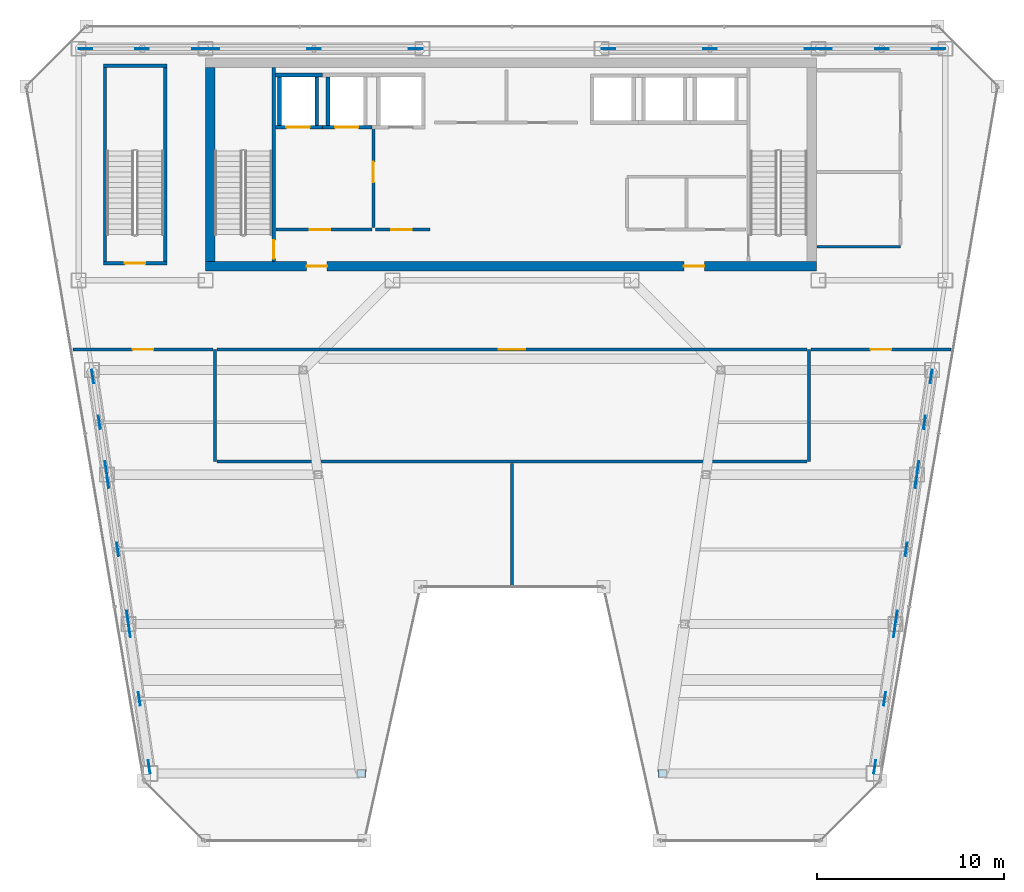
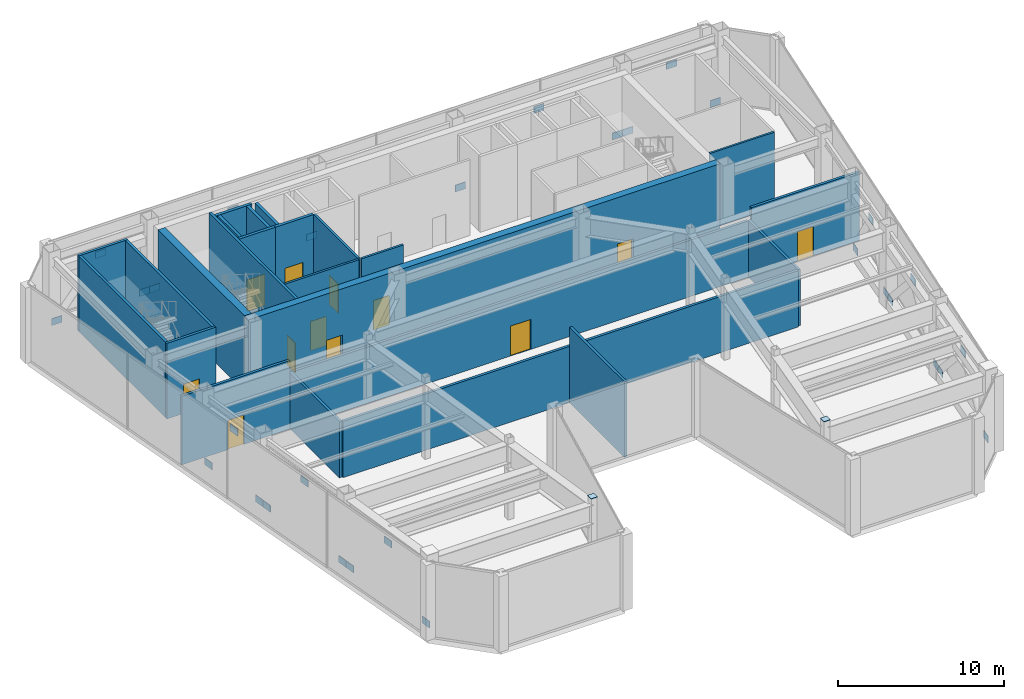
# One storey, part 29 of 34: 32 plates, 24 walls, 12 doors, 12 openings.
"""IFC4 building model written with IfcOpenShell, lengths in metres."""

from ifc_helpers import new_model, si_unit, direction, frame, frame_2d, origin, origin_2d, place, context, subcontext, project, spatial, rectangle, extrude, material, layer, layer_set, type_object, element, fill, save


model = new_model("IFC4")

# Units and contexts
model_context = context("Model", 3, precision=1e-05, world=origin(), true_north=direction((0.0, 1.0)))
body_context = subcontext(model_context, "Body", "Model", "MODEL_VIEW")
ifc_project = project(units=[si_unit("LENGTHUNIT", "METRE"), si_unit("AREAUNIT", "SQUARE_METRE"), si_unit("VOLUMEUNIT", "CUBIC_METRE"), si_unit("PLANEANGLEUNIT", "RADIAN"), si_unit("MASSUNIT", "GRAM", prefix="KILO")], contexts=[model_context])

# Site, building, storey
site_placement = place(None, origin())
site = spatial("IfcSite", under=ifc_project, at=site_placement, CompositionType="ELEMENT")
building_placement = place(site_placement, origin())
building = spatial("IfcBuilding", under=site, at=building_placement, Name="Saevonmaru Cultural Tower", CompositionType="ELEMENT")
storey_placement = place(building_placement, frame((0.0, 0.0, 224.60009765625)))
storey = spatial("IfcBuildingStorey", under=building, at=storey_placement, Name="L52", CompositionType="ELEMENT", Elevation=224.60009765625)

# Plates
ifc_material_1 = material(Name="Steel HSA600 (600 MPa)", Category="steel")
ifc_layer_1 = layer(ifc_material_1, 0.0400390625, Name="Steel HSA600 (600 MPa)")
ifc_layer_set_1 = layer_set([ifc_layer_1], Name="Steel HSA600 (600 MPa)")
plate_type_1 = type_object("IfcPlateType", Name="PL-CAP-400", PredefinedType="USERDEFINED", material=ifc_layer_set_1)
for number, where, z_axis, x_axis, name in (
    (1, (38.072021484375, 16.0, 5.994873046875), (0.0, 0.0, 1.0), (1.0, 0.0, 0.0), "Column head cap plate TC-EI-Y160 L52"),
    (2, (21.927978515625, 16.0, 5.994873046875), (0.0, 0.0, 1.0), (1.0, 0.0, 0.0), "Column head cap plate TC-WI-Y160 L52"),
):
    element("IfcPlate", number, at=place(storey_placement, frame(where, z_axis=z_axis, x_axis=x_axis)), inside=storey, type_object=plate_type_1, Name=name, ObjectType="CAP_PLATE", PredefinedType="USERDEFINED", context=body_context, shape_type="SweptSolid", body=[
        extrude(rectangle(XDim=0.43994140625, YDim=0.43994140625, at=origin_2d()), origin(), (0.0, 0.0, 1.0), 0.0400390625),
    ])
ifc_layer_2 = layer(ifc_material_1, 0.044921875, Name="Steel HSA600 (600 MPa)")
ifc_layer_set_2 = layer_set([ifc_layer_2], Name="Steel HSA600 (600 MPa)")
plate_type_2 = type_object("IfcPlateType", Name="PL-GUSSET-BELT", PredefinedType="USERDEFINED", material=ifc_layer_set_2)
for number, where, z_axis, x_axis, name in (
    (3, (10.576904296875, 16.35595703125, 0.2998046875), (0.0, 0.0, 1.0), (-0.143008969972, 0.989721392366, 0.0), "L52 Truss Base Gusset Plate BW1-1"),
    (4, (9.52294921875, 23.64404296875, 0.2998046875), (0.0, 0.0, 1.0), (-0.143008969972, 0.989721392366, 0.0), "L52 Truss Base Gusset Plate BW1-2"),
    (5, (10.050048828125, 20.0, 4.14990234375), (0.0, 0.0, 1.0), (-0.143008969972, 0.989721392366, 0.0), "L52 Truss Node Gusset Plate BW1"),
    (6, (9.4208984375, 24.35595703125, 0.2998046875), (0.0, 0.0, 1.0), (-0.142888051626, 0.989738856822, 0.0), "L52 Truss Base Gusset Plate BW2-1"),
    (7, (8.367919921875, 31.64404296875, 0.2998046875), (0.0, 0.0, 1.0), (-0.142888051626, 0.989738856822, 0.0), "L52 Truss Base Gusset Plate BW2-2"),
    (8, (8.89501953125, 28.0, 4.14990234375), (0.0, 0.0, 1.0), (-0.142888051626, 0.989738856822, 0.0), "L52 Truss Node Gusset Plate BW2"),
    (9, (8.26611328125, 32.35595703125, 0.2998046875), (0.0, 0.0, 1.0), (-0.142974422091, 0.989726383718, 0.0), "L52 Truss Base Gusset Plate BW3-1"),
    (10, (7.55908203125, 37.243896484375, 0.2998046875), (0.0, 0.0, 1.0), (-0.142974422091, 0.989726383718, 0.0), "L52 Truss Base Gusset Plate BW3-2"),
    (11, (7.912109375, 34.800048828125, 4.14990234375), (0.0, 0.0, 1.0), (-0.142974422091, 0.989726383718, 0.0), "L52 Truss Node Gusset Plate BW3"),
    (12, (49.423095703125, 16.35595703125, 0.2998046875), (0.0, 0.0, 1.0), (0.143008969972, 0.989721392366, 0.0), "L52 Truss Base Gusset Plate BE1-1"),
    (13, (50.47705078125, 23.64404296875, 0.2998046875), (0.0, 0.0, 1.0), (0.143008969972, 0.989721392366, 0.0), "L52 Truss Base Gusset Plate BE1-2"),
    (14, (49.949951171875, 20.0, 4.14990234375), (0.0, 0.0, 1.0), (0.143008969972, 0.989721392366, 0.0), "L52 Truss Node Gusset Plate BE1"),
    (15, (50.5791015625, 24.35595703125, 0.2998046875), (0.0, 0.0, 1.0), (0.142888051626, 0.989738856822, 0.0), "L52 Truss Base Gusset Plate BE2-1"),
    (16, (51.632080078125, 31.64404296875, 0.2998046875), (0.0, 0.0, 1.0), (0.142888051626, 0.989738856822, 0.0), "L52 Truss Base Gusset Plate BE2-2"),
    (17, (51.10498046875, 28.0, 4.14990234375), (0.0, 0.0, 1.0), (0.142888051626, 0.989738856822, 0.0), "L52 Truss Node Gusset Plate BE2"),
    (18, (51.73388671875, 32.35595703125, 0.2998046875), (0.0, 0.0, 1.0), (0.142974422091, 0.989726383718, 0.0), "L52 Truss Base Gusset Plate BE3-1"),
    (19, (52.44091796875, 37.243896484375, 0.2998046875), (0.0, 0.0, 1.0), (0.142974422091, 0.989726383718, 0.0), "L52 Truss Base Gusset Plate BE3-2"),
    (20, (52.0869140625, 34.800048828125, 4.14990234375), (0.0, 0.0, 1.0), (0.142974422091, 0.989726383718, 0.0), "L52 Truss Node Gusset Plate BE3"),
):
    element("IfcPlate", number, at=place(storey_placement, frame(where, z_axis=z_axis, x_axis=x_axis)), inside=storey, type_object=plate_type_2, Name=name, ObjectType="GUSSET_PLATE", PredefinedType="USERDEFINED", context=body_context, shape_type="SweptSolid", body=[
        extrude(rectangle(XDim=0.719970703125, YDim=0.044921875, at=origin_2d()), origin(), (0.0, 0.0, 1.0), 0.5),
    ])
ifc_layer_3 = layer(ifc_material_1, 0.044921875, Name="Steel HSA600 (600 MPa)")
ifc_layer_set_3 = layer_set([ifc_layer_3], Name="Steel HSA600 (600 MPa)")
plate_type_3 = type_object("IfcPlateType", Name="PL-GUSSET-INT", PredefinedType="USERDEFINED", material=ifc_layer_set_3)
for number, where, z_axis, x_axis, name in (
    (21, (13.9599609375, 54.800048828125, 0.2998046875), (0.0, 0.0, 1.0), (1.0, 0.0, 0.0), "L52 Truss Base Gusset Plate OW1-1"),
    (22, (24.840087890625, 54.800048828125, 0.2998046875), (0.0, 0.0, 1.0), (1.0, 0.0, 0.0), "L52 Truss Base Gusset Plate OW1-2"),
    (23, (19.39990234375, 54.800048828125, 4.14990234375), (0.0, 0.0, 1.0), (1.0, 0.0, 0.0), "L52 Truss Node Gusset Plate OW1"),
    (24, (35.159912109375, 54.800048828125, 0.2998046875), (0.0, 0.0, 1.0), (1.0, 0.0, 0.0), "L52 Truss Base Gusset Plate OE1-1"),
    (25, (46.0400390625, 54.800048828125, 0.2998046875), (0.0, 0.0, 1.0), (1.0, 0.0, 0.0), "L52 Truss Base Gusset Plate OE1-2"),
    (26, (40.60009765625, 54.800048828125, 4.14990234375), (0.0, 0.0, 1.0), (1.0, 0.0, 0.0), "L52 Truss Node Gusset Plate OE1"),
    (27, (7.159912109375, 54.800048828125, 0.2998046875), (0.0, 0.0, 1.0), (1.0, 0.0, 0.0), "L52 Truss Base Gusset Plate OW2-1"),
    (28, (13.239990234375, 54.800048828125, 0.2998046875), (0.0, 0.0, 1.0), (1.0, 0.0, 0.0), "L52 Truss Base Gusset Plate OW2-2"),
    (29, (10.199951171875, 54.800048828125, 4.14990234375), (0.0, 0.0, 1.0), (1.0, 0.0, 0.0), "L52 Truss Node Gusset Plate OW2"),
    (30, (46.760009765625, 54.800048828125, 0.2998046875), (0.0, 0.0, 1.0), (1.0, 0.0, 0.0), "L52 Truss Base Gusset Plate OE2-1"),
    (31, (52.840087890625, 54.800048828125, 0.2998046875), (0.0, 0.0, 1.0), (1.0, 0.0, 0.0), "L52 Truss Base Gusset Plate OE2-2"),
    (32, (49.800048828125, 54.800048828125, 4.14990234375), (0.0, 0.0, 1.0), (1.0, 0.0, 0.0), "L52 Truss Node Gusset Plate OE2"),
):
    element("IfcPlate", number, at=place(storey_placement, frame(where, z_axis=z_axis, x_axis=x_axis)), inside=storey, type_object=plate_type_3, Name=name, ObjectType="GUSSET_PLATE", PredefinedType="USERDEFINED", context=body_context, shape_type="SweptSolid", body=[
        extrude(rectangle(XDim=0.719970703125, YDim=0.044921875, at=origin_2d()), origin(), (0.0, 0.0, 1.0), 0.5),
    ])

# Wall, openings, doors
ifc_material_2 = material(Name="Concrete C60/75", Category="concrete")
ifc_layer_4 = layer(ifc_material_2, 0.5, Name="Concrete C60/75")
ifc_layer_set_4 = layer_set([ifc_layer_4], Name="Concrete C60/75")
wall_type_1 = type_object("IfcWallType", Name="WL-CORE-500", PredefinedType="SHEAR", material=ifc_layer_set_4)
wall_1_placement = place(storey_placement, frame((13.60009765625, 43.14990234375, 0.0), z_axis=(0.0, 0.0, 1.0), x_axis=(1.0, 0.0, 0.0)))
wall_1 = element("IfcWall", 33, at=wall_1_placement, inside=storey, type_object=wall_type_1, Name="L52 Tower RC core shear wall S", PredefinedType="SHEAR", context=body_context, shape_type="SweptSolid", body=[
    extrude(rectangle(XDim=32.699951171875, YDim=0.5, at=frame_2d((16.35009765625, 0.0))), origin(), (0.0, 0.0, 1.0), 5.5498046875),
])
opening_1_placement = place(wall_1_placement, frame((5.39990234375, 0.0, 0.0)))
opening_1 = element("IfcOpeningElement", 34, at=opening_1_placement, cuts=wall_1, Name="Opening FD-2", PredefinedType="OPENING", context=body_context, shape_type="SweptSolid", body=[
    extrude(rectangle(XDim=1.10009765625, YDim=2.14990234375, at=frame_2d((0.550048828125, 1.074951171875))), frame((0.0, 0.260009765625, 0.0), z_axis=(0.0, -1.0, 0.0), x_axis=(1.0, 0.0, 0.0)), (0.0, 0.0, 1.0), 0.52001953125),
])
opening_2_placement = place(wall_1_placement, frame((25.60009765625, 0.0, 0.0)))
opening_2 = element("IfcOpeningElement", 35, at=opening_2_placement, cuts=wall_1, Name="Opening FD-2", PredefinedType="OPENING", context=body_context, shape_type="SweptSolid", body=[
    extrude(rectangle(XDim=1.10009765625, YDim=2.14990234375, at=frame_2d((0.550048828125, 1.074951171875))), frame((0.0, 0.260009765625, 0.0), z_axis=(0.0, -1.0, 0.0), x_axis=(1.0, 0.0, 0.0)), (0.0, 0.0, 1.0), 0.52001953125),
])
ifc_material_3 = material(Name="Satin Bronze Anodised Aluminium", Category="aluminium")
door_type_1 = type_object("IfcDoorType", Name="DR-FD60-1100", OperationType="SINGLE_SWING_LEFT", PredefinedType="DOOR", material=ifc_material_3)
door_1_placement = place(opening_1_placement, origin())
door_1 = element("IfcDoor", 36, at=door_1_placement, inside=storey, type_object=door_type_1, Name="L52 Core West Lobby Fire Door", OperationType="SINGLE_SWING_LEFT", OverallHeight=2.14990234375, OverallWidth=1.10009765625, PredefinedType="DOOR", context=body_context, shape_type="SweptSolid", body=[
    extrude(rectangle(XDim=1.10009765625, YDim=2.14990234375, at=frame_2d((0.550048828125, 1.074951171875))), frame((0.0, 0.02490234375, 0.0), z_axis=(0.0, -1.0, 0.0), x_axis=(1.0, 0.0, 0.0)), (0.0, 0.0, 1.0), 0.050048828125),
])
fill(opening_1, door_1)
door_2_placement = place(opening_2_placement, origin())
door_2 = element("IfcDoor", 37, at=door_2_placement, inside=storey, type_object=door_type_1, Name="L52 Core East Lobby Fire Door", OperationType="SINGLE_SWING_LEFT", OverallHeight=2.14990234375, OverallWidth=1.10009765625, PredefinedType="DOOR", context=body_context, shape_type="SweptSolid", body=[
    extrude(rectangle(XDim=1.10009765625, YDim=2.14990234375, at=frame_2d((0.550048828125, 1.074951171875))), frame((0.0, 0.02490234375, 0.0), z_axis=(0.0, -1.0, 0.0), x_axis=(1.0, 0.0, 0.0)), (0.0, 0.0, 1.0), 0.050048828125),
])
fill(opening_2, door_2)

# Wall
wall_2_placement = place(storey_placement, frame((13.85009765625, 43.39990234375, 0.0), z_axis=(0.0, 0.0, 1.0), x_axis=(0.0, 1.0, 0.0)))
element("IfcWall", 38, at=wall_2_placement, inside=storey, type_object=wall_type_1, Name="L52 Tower RC core shear wall W", PredefinedType="SHEAR", context=body_context, shape_type="SweptSolid", body=[
    extrude(rectangle(XDim=10.400146484375, YDim=0.5, at=frame_2d((5.2001953125, 0.0))), origin(), (0.0, 0.0, 1.0), 5.5498046875),
])

# Wall, opening, door
ifc_material_4 = material(Name="Gypsum Fireboard Partition", Category="gypsum")
ifc_layer_5 = layer(ifc_material_4, 0.14990234375, Name="Gypsum Fireboard Partition")
ifc_layer_set_5 = layer_set([ifc_layer_5], Name="Gypsum Fireboard Partition")
wall_type_2 = type_object("IfcWallType", Name="WL-CORE-PART-150", PredefinedType="PARTITIONING", material=ifc_layer_set_5)
wall_3_placement = place(storey_placement, frame((17.360107421875, 45.1201171875, 0.0), z_axis=(0.0, 0.0, 1.0), x_axis=(1.0, 0.0, 0.0)))
wall_3 = element("IfcWall", 39, at=wall_3_placement, inside=storey, type_object=wall_type_2, Name="L52 Firefighting Lift Lobby South Wall", PredefinedType="PARTITIONING", context=body_context, shape_type="SweptSolid", body=[
    extrude(rectangle(XDim=5.139892578125, YDim=0.14990234375, at=frame_2d((2.56982421875, 0.0))), origin(), (0.0, 0.0, 1.0), 5.5498046875),
])
opening_3_placement = place(wall_3_placement, frame((1.800048828125, 0.0, 0.0)))
opening_3 = element("IfcOpeningElement", 40, at=opening_3_placement, cuts=wall_3, Name="Opening FD-2", PredefinedType="OPENING", context=body_context, shape_type="SweptSolid", body=[
    extrude(rectangle(XDim=1.10009765625, YDim=2.14990234375, at=frame_2d((0.550048828125, 1.074951171875))), frame((0.0, 0.0849609375, 0.0), z_axis=(0.0, -1.0, 0.0), x_axis=(1.0, 0.0, 0.0)), (0.0, 0.0, 1.0), 0.169921875),
])
door_3_placement = place(opening_3_placement, origin())
door_3 = element("IfcDoor", 41, at=door_3_placement, inside=storey, type_object=door_type_1, Name="L52 Firefighting Lift Lobby South Door", OperationType="SINGLE_SWING_LEFT", OverallHeight=2.14990234375, OverallWidth=1.10009765625, PredefinedType="DOOR", context=body_context, shape_type="SweptSolid", body=[
    extrude(rectangle(XDim=1.10009765625, YDim=2.14990234375, at=frame_2d((0.550048828125, 1.074951171875))), frame((0.0, 0.02490234375, 0.0), z_axis=(0.0, -1.0, 0.0), x_axis=(1.0, 0.0, 0.0)), (0.0, 0.0, 1.0), 0.050048828125),
])
fill(opening_3, door_3)

wall_4_placement = place(storey_placement, frame((22.580078125, 50.550048828125, 0.0), z_axis=(0.0, 0.0, 1.0), x_axis=(0.0, -1.0, 0.0)))
wall_4 = element("IfcWall", 42, at=wall_4_placement, inside=storey, type_object=wall_type_2, Name="L52 Firefighting Lift Lobby East Wall", PredefinedType="PARTITIONING", context=body_context, shape_type="SweptSolid", body=[
    extrude(rectangle(XDim=5.330078125, YDim=0.14990234375, at=frame_2d((2.6650390625, 0.0))), origin(), (0.0, 0.0, 1.0), 5.5498046875),
])
opening_4_placement = place(wall_4_placement, frame((1.800048828125, 0.0, 0.0)))
opening_4 = element("IfcOpeningElement", 43, at=opening_4_placement, cuts=wall_4, Name="Opening FD-2", PredefinedType="OPENING", context=body_context, shape_type="SweptSolid", body=[
    extrude(rectangle(XDim=1.10009765625, YDim=2.14990234375, at=frame_2d((0.550048828125, 1.074951171875))), frame((0.0, 0.0849609375, 0.0), z_axis=(0.0, -1.0, 0.0), x_axis=(1.0, 0.0, 0.0)), (0.0, 0.0, 1.0), 0.169921875),
])
door_4_placement = place(opening_4_placement, origin())
door_4 = element("IfcDoor", 44, at=door_4_placement, inside=storey, type_object=door_type_1, Name="L52 Firefighting Lift Lobby East Door", OperationType="SINGLE_SWING_LEFT", OverallHeight=2.14990234375, OverallWidth=1.10009765625, PredefinedType="DOOR", context=body_context, shape_type="SweptSolid", body=[
    extrude(rectangle(XDim=1.10009765625, YDim=2.14990234375, at=frame_2d((0.550048828125, 1.074951171875))), frame((0.0, 0.02490234375, 0.0), z_axis=(0.0, -1.0, 0.0), x_axis=(1.0, 0.0, 0.0)), (0.0, 0.0, 1.0), 0.050048828125),
])
fill(opening_4, door_4)

wall_5_placement = place(storey_placement, frame((22.679931640625, 45.1201171875, 0.0), z_axis=(0.0, 0.0, 1.0), x_axis=(1.0, 0.0, 0.0)))
wall_5 = element("IfcWall", 45, at=wall_5_placement, inside=storey, type_object=wall_type_2, Name="L52 Service Lift Vestibule Wall", PredefinedType="PARTITIONING", context=body_context, shape_type="SweptSolid", body=[
    extrude(rectangle(XDim=2.920166015625, YDim=0.14990234375, at=frame_2d((1.4599609375, 0.0))), origin(), (0.0, 0.0, 1.0), 5.5498046875),
])
opening_5_placement = place(wall_5_placement, frame((0.85009765625, 0.0, 0.0)))
opening_5 = element("IfcOpeningElement", 46, at=opening_5_placement, cuts=wall_5, Name="Opening FD-2", PredefinedType="OPENING", context=body_context, shape_type="SweptSolid", body=[
    extrude(rectangle(XDim=1.10009765625, YDim=2.14990234375, at=frame_2d((0.550048828125, 1.074951171875))), frame((0.0, 0.0849609375, 0.0), z_axis=(0.0, -1.0, 0.0), x_axis=(1.0, 0.0, 0.0)), (0.0, 0.0, 1.0), 0.169921875),
])
door_5_placement = place(opening_5_placement, origin())
door_5 = element("IfcDoor", 47, at=door_5_placement, inside=storey, type_object=door_type_1, Name="L52 Service Lift Vestibule Door", OperationType="SINGLE_SWING_LEFT", OverallHeight=2.14990234375, OverallWidth=1.10009765625, PredefinedType="DOOR", context=body_context, shape_type="SweptSolid", body=[
    extrude(rectangle(XDim=1.10009765625, YDim=2.14990234375, at=frame_2d((0.550048828125, 1.074951171875))), frame((0.0, 0.02490234375, 0.0), z_axis=(0.0, -1.0, 0.0), x_axis=(1.0, 0.0, 0.0)), (0.0, 0.0, 1.0), 0.050048828125),
])
fill(opening_5, door_5)

# Walls
ifc_layer_6 = layer(ifc_material_4, 0.179931640625, Name="Gypsum Fireboard Partition")
ifc_layer_set_6 = layer_set([ifc_layer_6], Name="Gypsum Fireboard Partition")
wall_type_3 = type_object("IfcWallType", Name="WL-PART-PLANT-180", PredefinedType="PARTITIONING", material=ifc_layer_set_6)
for number, where, z_axis, x_axis, name in (
    (48, (14.10009765625, 32.699951171875, 0.0), (0.0, 0.0, 1.0), (0.0, 1.0, 0.0), "L52 Main Refuge West Wall"),
    (49, (45.89990234375, 32.699951171875, 0.0), (0.0, 0.0, 1.0), (0.0, 1.0, 0.0), "L52 Main Refuge East Wall"),
):
    element("IfcWall", number, at=place(storey_placement, frame(where, z_axis=z_axis, x_axis=x_axis)), inside=storey, type_object=wall_type_3, Name=name, PredefinedType="PARTITIONING", context=body_context, shape_type="SweptSolid", body=[
        extrude(rectangle(XDim=6.0, YDim=0.179931640625, at=frame_2d((3.0, 0.0))), origin(), (0.0, 0.0, 1.0), 4.135009765625),
    ])
wall_6_placement = place(storey_placement, frame((14.2099609375, 32.699951171875, 0.0), z_axis=(0.0, 0.0, 1.0), x_axis=(1.0, 0.0, 0.0)))
element("IfcWall", 50, at=wall_6_placement, inside=storey, type_object=wall_type_3, Name="L52 Main Refuge South Wall", PredefinedType="PARTITIONING", context=body_context, shape_type="SweptSolid", body=[
    extrude(rectangle(XDim=31.580078125, YDim=0.179931640625, at=frame_2d((15.7900390625, 0.0))), origin(), (0.0, 0.0, 1.0), 4.135009765625),
])

# Wall, opening, door
wall_7_placement = place(storey_placement, frame((14.2099609375, 38.699951171875, 0.0), z_axis=(0.0, 0.0, 1.0), x_axis=(1.0, 0.0, 0.0)))
wall_7 = element("IfcWall", 51, at=wall_7_placement, inside=storey, type_object=wall_type_3, Name="L52 Main Refuge Promenade Wall", PredefinedType="PARTITIONING", context=body_context, shape_type="SweptSolid", body=[
    extrude(rectangle(XDim=31.580078125, YDim=0.179931640625, at=frame_2d((15.7900390625, 0.0))), origin(), (0.0, 0.0, 1.0), 4.135009765625),
])
opening_6_placement = place(wall_7_placement, frame((15.090087890625, 0.0, 0.0)))
opening_6 = element("IfcOpeningElement", 52, at=opening_6_placement, cuts=wall_7, Name="Opening FD-0", PredefinedType="OPENING", context=body_context, shape_type="SweptSolid", body=[
    extrude(rectangle(XDim=1.39990234375, YDim=2.199951171875, at=frame_2d((0.699951171875, 1.10009765625))), frame((0.0, 0.10009765625, 0.0), z_axis=(0.0, -1.0, 0.0), x_axis=(1.0, 0.0, 0.0)), (0.0, 0.0, 1.0), 0.199951171875),
])
door_type_2 = type_object("IfcDoorType", Name="DR-FD60-1400", OperationType="DOUBLE_DOOR_SINGLE_SWING", PredefinedType="DOOR", material=ifc_material_3)
door_6_placement = place(opening_6_placement, origin())
door_6 = element("IfcDoor", 53, at=door_6_placement, inside=storey, type_object=door_type_2, Name="L52 Main Fire Safety Refuge Hall Door", OperationType="DOUBLE_DOOR_SINGLE_SWING", OverallHeight=2.199951171875, OverallWidth=1.39990234375, PredefinedType="DOOR", context=body_context, shape_type="SweptSolid", body=[
    extrude(rectangle(XDim=1.39990234375, YDim=2.199951171875, at=frame_2d((0.699951171875, 1.10009765625))), frame((0.0, 0.02490234375, 0.0), z_axis=(0.0, -1.0, 0.0), x_axis=(1.0, 0.0, 0.0)), (0.0, 0.0, 1.0), 0.050048828125),
])
fill(opening_6, door_6)

# Wall
wall_8_placement = place(storey_placement, frame((30.0, 26.0048828125, 0.0), z_axis=(0.0, 0.0, 1.0), x_axis=(0.0, 1.0, 0.0)))
element("IfcWall", 54, at=wall_8_placement, inside=storey, type_object=wall_type_3, Name="L52 Plant Compartment Split", PredefinedType="PARTITIONING", context=body_context, shape_type="SweptSolid", body=[
    extrude(rectangle(XDim=6.585205078125, YDim=0.179931640625, at=frame_2d((3.29248046875, 0.0))), origin(), (0.0, 0.0, 1.0), 5.5498046875),
])

# Wall, opening, door
wall_9_placement = place(storey_placement, frame((6.498779296875, 38.699951171875, 0.0), z_axis=(0.0, 0.0, 1.0), x_axis=(1.0, 0.0, 0.0)))
wall_9 = element("IfcWall", 55, at=wall_9_placement, inside=storey, type_object=wall_type_3, Name="L52 West AHU Plant North Wall", PredefinedType="PARTITIONING", context=body_context, shape_type="SweptSolid", body=[
    extrude(rectangle(XDim=7.4912109375, YDim=0.179931640625, at=frame_2d((3.74560546875, 0.0))), origin(), (0.0, 0.0, 1.0), 5.034912109375),
])
opening_7_placement = place(wall_9_placement, frame((3.196044921875, 0.0, 0.0)))
opening_7 = element("IfcOpeningElement", 56, at=opening_7_placement, cuts=wall_9, Name="Opening FD-2", PredefinedType="OPENING", context=body_context, shape_type="SweptSolid", body=[
    extrude(rectangle(XDim=1.10009765625, YDim=2.14990234375, at=frame_2d((0.550048828125, 1.074951171875))), frame((0.0, 0.10009765625, 0.0), z_axis=(0.0, -1.0, 0.0), x_axis=(1.0, 0.0, 0.0)), (0.0, 0.0, 1.0), 0.199951171875),
])
door_7_placement = place(opening_7_placement, origin())
door_7 = element("IfcDoor", 57, at=door_7_placement, inside=storey, type_object=door_type_1, Name="L52 Primary AHU Plant Door", OperationType="SINGLE_SWING_LEFT", OverallHeight=2.14990234375, OverallWidth=1.10009765625, PredefinedType="DOOR", context=body_context, shape_type="SweptSolid", body=[
    extrude(rectangle(XDim=1.10009765625, YDim=2.14990234375, at=frame_2d((0.550048828125, 1.074951171875))), frame((0.0, 0.02490234375, 0.0), z_axis=(0.0, -1.0, 0.0), x_axis=(1.0, 0.0, 0.0)), (0.0, 0.0, 1.0), 0.050048828125),
])
fill(opening_7, door_7)

wall_10_placement = place(storey_placement, frame((46.010009765625, 38.699951171875, 0.0), z_axis=(0.0, 0.0, 1.0), x_axis=(1.0, 0.0, 0.0)))
wall_10 = element("IfcWall", 58, at=wall_10_placement, inside=storey, type_object=wall_type_3, Name="L52 East Pump Plant North Wall", PredefinedType="PARTITIONING", context=body_context, shape_type="SweptSolid", body=[
    extrude(rectangle(XDim=7.4912109375, YDim=0.179931640625, at=frame_2d((3.74560546875, 0.0))), origin(), (0.0, 0.0, 1.0), 5.034912109375),
])
opening_8_placement = place(wall_10_placement, frame((3.196044921875, 0.0, 0.0)))
opening_8 = element("IfcOpeningElement", 59, at=opening_8_placement, cuts=wall_10, Name="Opening FD-2", PredefinedType="OPENING", context=body_context, shape_type="SweptSolid", body=[
    extrude(rectangle(XDim=1.10009765625, YDim=2.14990234375, at=frame_2d((0.550048828125, 1.074951171875))), frame((0.0, 0.10009765625, 0.0), z_axis=(0.0, -1.0, 0.0), x_axis=(1.0, 0.0, 0.0)), (0.0, 0.0, 1.0), 0.199951171875),
])
door_8_placement = place(opening_8_placement, origin())
door_8 = element("IfcDoor", 60, at=door_8_placement, inside=storey, type_object=door_type_1, Name="L52 Fire Pump Plant Door", OperationType="SINGLE_SWING_RIGHT", OverallHeight=2.14990234375, OverallWidth=1.10009765625, PredefinedType="DOOR", context=body_context, shape_type="SweptSolid", body=[
    extrude(rectangle(XDim=1.10009765625, YDim=2.14990234375, at=frame_2d((0.550048828125, 1.074951171875))), frame((0.0, 0.02490234375, 0.0), z_axis=(0.0, -1.0, 0.0), x_axis=(1.0, 0.0, 0.0)), (0.0, 0.0, 1.0), 0.050048828125),
])
fill(opening_8, door_8)

# Wall
ifc_layer_7 = layer(ifc_material_4, 0.139892578125, Name="Gypsum Fireboard Partition")
ifc_layer_set_7 = layer_set([ifc_layer_7], Name="Gypsum Fireboard Partition")
wall_type_4 = type_object("IfcWallType", Name="WL-PART-WET-140", PredefinedType="PARTITIONING", material=ifc_layer_set_7)
wall_11_placement = place(storey_placement, frame((46.320068359375, 44.199951171875, 0.0), z_axis=(0.0, 0.0, 1.0), x_axis=(1.0, 0.0, 0.0)))
element("IfcWall", 61, at=wall_11_placement, inside=storey, type_object=wall_type_4, Name="L52 Refuge Washroom South Wall", PredefinedType="PARTITIONING", context=body_context, shape_type="SweptSolid", body=[
    extrude(rectangle(XDim=4.47998046875, YDim=0.139892578125, at=frame_2d((2.239990234375, 0.0))), origin(), (0.0, 0.0, 1.0), 5.5498046875),
])

# Wall, opening, door
ifc_material_5 = material(Name="Concrete C40/50", Category="concrete")
ifc_layer_8 = layer(ifc_material_5, 0.199951171875, Name="Concrete C40/50")
ifc_layer_set_8 = layer_set([ifc_layer_8], Name="Concrete C40/50")
wall_type_5 = type_object("IfcWallType", Name="WL-SHAFT-200", PredefinedType="SHEAR", material=ifc_layer_set_8)
wall_12_placement = place(storey_placement, frame((17.330078125, 50.60009765625, 0.0), z_axis=(0.0, 0.0, 1.0), x_axis=(1.0, 0.0, 0.0)))
wall_12 = element("IfcWall", 62, at=wall_12_placement, inside=storey, type_object=wall_type_5, Name="L52 Lift FFL-1 Hoistway Wall S", PredefinedType="SHEAR", context=body_context, shape_type="SweptSolid", body=[
    extrude(rectangle(XDim=2.52001953125, YDim=0.199951171875, at=frame_2d((1.260009765625, 0.0))), origin(), (0.0, 0.0, 1.0), 5.5498046875),
])
opening_9_placement = place(wall_12_placement, frame((0.594970703125, 0.0, 0.0)))
opening_9 = element("IfcOpeningElement", 63, at=opening_9_placement, cuts=wall_12, Name="Opening LD-2", PredefinedType="OPENING", context=body_context, shape_type="SweptSolid", body=[
    extrude(rectangle(XDim=1.25, YDim=2.300048828125, at=frame_2d((0.625, 1.14990234375))), frame((0.0, 0.10986328125, 0.0), z_axis=(0.0, -1.0, 0.0), x_axis=(1.0, 0.0, 0.0)), (0.0, 0.0, 1.0), 0.219970703125),
])
ifc_material_6 = material(Name="Stainless Steel 316", Category="steel")
door_type_3 = type_object("IfcDoorType", Name="DR-LIFT-1250", OperationType="SLIDING_TO_LEFT", PredefinedType="DOOR", material=ifc_material_6)
door_9_placement = place(opening_9_placement, origin())
door_9 = element("IfcDoor", 64, at=door_9_placement, inside=storey, type_object=door_type_3, Name="L52 Lift FFL-1 Sliding Landing Door", OperationType="SLIDING_TO_LEFT", OverallHeight=2.300048828125, OverallWidth=1.25, PredefinedType="DOOR", context=body_context, shape_type="SweptSolid", body=[
    extrude(rectangle(XDim=1.25, YDim=2.300048828125, at=frame_2d((0.625, 1.14990234375))), frame((0.0, 0.02490234375, 0.0), z_axis=(0.0, -1.0, 0.0), x_axis=(1.0, 0.0, 0.0)), (0.0, 0.0, 1.0), 0.050048828125),
])
fill(opening_9, door_9)

# Walls
wall_13_placement = place(storey_placement, frame((17.330078125, 53.39990234375, 0.0), z_axis=(0.0, 0.0, 1.0), x_axis=(1.0, 0.0, 0.0)))
element("IfcWall", 65, at=wall_13_placement, inside=storey, type_object=wall_type_5, Name="L52 Lift FFL-1 Hoistway Wall N", PredefinedType="SHEAR", context=body_context, shape_type="SweptSolid", body=[
    extrude(rectangle(XDim=2.52001953125, YDim=0.199951171875, at=frame_2d((1.260009765625, 0.0))), origin(), (0.0, 0.0, 1.0), 5.5498046875),
])
for number, where, z_axis, x_axis, name in (
    (66, (17.550048828125, 50.699951171875, 0.0), (0.0, 0.0, 1.0), (0.0, 1.0, 0.0), "L52 Lift FFL-1 Hoistway Wall W"),
    (67, (19.550048828125, 50.699951171875, 0.0), (0.0, 0.0, 1.0), (0.0, 1.0, 0.0), "L52 Lift FFL-1 Hoistway Wall E"),
):
    element("IfcWall", number, at=place(storey_placement, frame(where, z_axis=z_axis, x_axis=x_axis)), inside=storey, type_object=wall_type_5, Name=name, PredefinedType="SHEAR", context=body_context, shape_type="SweptSolid", body=[
        extrude(rectangle(XDim=2.60009765625, YDim=0.199951171875, at=frame_2d((1.300048828125, 0.0))), origin(), (0.0, 0.0, 1.0), 5.5498046875),
    ])

# Wall, opening, door
wall_14_placement = place(storey_placement, frame((19.85009765625, 50.60009765625, 0.0), z_axis=(0.0, 0.0, 1.0), x_axis=(1.0, 0.0, 0.0)))
wall_14 = element("IfcWall", 68, at=wall_14_placement, inside=storey, type_object=wall_type_5, Name="L52 Lift FFL-2 Hoistway Wall S", PredefinedType="SHEAR", context=body_context, shape_type="SweptSolid", body=[
    extrude(rectangle(XDim=2.64990234375, YDim=0.199951171875, at=frame_2d((1.324951171875, 0.0))), origin(), (0.0, 0.0, 1.0), 5.5498046875),
])
opening_10_placement = place(wall_14_placement, frame((0.675048828125, 0.0, 0.0)))
opening_10 = element("IfcOpeningElement", 69, at=opening_10_placement, cuts=wall_14, Name="Opening LD-2", PredefinedType="OPENING", context=body_context, shape_type="SweptSolid", body=[
    extrude(rectangle(XDim=1.25, YDim=2.300048828125, at=frame_2d((0.625, 1.14990234375))), frame((0.0, 0.10986328125, 0.0), z_axis=(0.0, -1.0, 0.0), x_axis=(1.0, 0.0, 0.0)), (0.0, 0.0, 1.0), 0.219970703125),
])
door_10_placement = place(opening_10_placement, origin())
door_10 = element("IfcDoor", 70, at=door_10_placement, inside=storey, type_object=door_type_3, Name="L52 Lift FFL-2 Sliding Landing Door", OperationType="SLIDING_TO_LEFT", OverallHeight=2.300048828125, OverallWidth=1.25, PredefinedType="DOOR", context=body_context, shape_type="SweptSolid", body=[
    extrude(rectangle(XDim=1.25, YDim=2.300048828125, at=frame_2d((0.625, 1.14990234375))), frame((0.0, 0.02490234375, 0.0), z_axis=(0.0, -1.0, 0.0), x_axis=(1.0, 0.0, 0.0)), (0.0, 0.0, 1.0), 0.050048828125),
])
fill(opening_10, door_10)

# Wall
wall_15_placement = place(storey_placement, frame((20.14990234375, 50.699951171875, 0.0), z_axis=(0.0, 0.0, 1.0), x_axis=(0.0, 1.0, 0.0)))
element("IfcWall", 71, at=wall_15_placement, inside=storey, type_object=wall_type_5, Name="L52 Lift FFL-2 Hoistway Wall W", PredefinedType="SHEAR", context=body_context, shape_type="SweptSolid", body=[
    extrude(rectangle(XDim=2.60009765625, YDim=0.199951171875, at=frame_2d((1.300048828125, 0.0))), origin(), (0.0, 0.0, 1.0), 5.5498046875),
])

# Wall, opening, door
ifc_layer_9 = layer(ifc_material_5, 0.179931640625, Name="Concrete C40/50")
ifc_layer_set_9 = layer_set([ifc_layer_9], Name="Concrete C40/50")
wall_type_6 = type_object("IfcWallType", Name="WL-STSHAFT-180", PredefinedType="SHEAR", material=ifc_layer_set_9)
wall_16_placement = place(storey_placement, frame((17.239990234375, 43.39990234375, 0.0), z_axis=(0.0, 0.0, 1.0), x_axis=(0.0, 1.0, 0.0)))
wall_16 = element("IfcWall", 72, at=wall_16_placement, inside=storey, type_object=wall_type_6, Name="L52 Stair ST-1 Structural Shaft Wall 1", PredefinedType="SHEAR", context=body_context, shape_type="SweptSolid", body=[
    extrude(rectangle(XDim=10.400146484375, YDim=0.179931640625, at=frame_2d((5.2001953125, 0.0))), origin(), (0.0, 0.0, 1.0), 5.5498046875),
])
opening_11_placement = place(wall_16_placement, frame((0.159912109375, 0.0, 0.0)))
opening_11 = element("IfcOpeningElement", 73, at=opening_11_placement, cuts=wall_16, Name="Opening FD-3", PredefinedType="OPENING", context=body_context, shape_type="SweptSolid", body=[
    extrude(rectangle(XDim=1.0, YDim=2.14990234375, at=frame_2d((0.5, 1.074951171875))), frame((0.0, 0.10009765625, 0.0), z_axis=(0.0, -1.0, 0.0), x_axis=(1.0, 0.0, 0.0)), (0.0, 0.0, 1.0), 0.199951171875),
])
door_type_4 = type_object("IfcDoorType", Name="DR-FD60-1000", OperationType="SINGLE_SWING_RIGHT", PredefinedType="DOOR", material=ifc_material_3)
door_11_placement = place(opening_11_placement, origin())
door_11 = element("IfcDoor", 74, at=door_11_placement, inside=storey, type_object=door_type_4, Name="L52 Protected Stair ST-1 Fire Door", OperationType="SINGLE_SWING_RIGHT", OverallHeight=2.14990234375, OverallWidth=1.0, PredefinedType="DOOR", context=body_context, shape_type="SweptSolid", body=[
    extrude(rectangle(XDim=1.0, YDim=2.14990234375, at=frame_2d((0.5, 1.074951171875))), frame((0.0, 0.02490234375, 0.0), z_axis=(0.0, -1.0, 0.0), x_axis=(1.0, 0.0, 0.0)), (0.0, 0.0, 1.0), 0.050048828125),
])
fill(opening_11, door_11)

wall_17_placement = place(storey_placement, frame((8.1201171875, 43.31005859375, 0.0), z_axis=(0.0, 0.0, 1.0), x_axis=(1.0, 0.0, 0.0)))
wall_17 = element("IfcWall", 75, at=wall_17_placement, inside=storey, type_object=wall_type_6, Name="L52 Stair ST-3 Structural Shaft Wall 1", PredefinedType="SHEAR", context=body_context, shape_type="SweptSolid", body=[
    extrude(rectangle(XDim=3.409912109375, YDim=0.179931640625, at=frame_2d((1.705078125, 0.0))), origin(), (0.0, 0.0, 1.0), 5.5498046875),
])
opening_12_placement = place(wall_17_placement, frame((1.14990234375, 0.0, 0.0)))
opening_12 = element("IfcOpeningElement", 76, at=opening_12_placement, cuts=wall_17, Name="Opening FD-2", PredefinedType="OPENING", context=body_context, shape_type="SweptSolid", body=[
    extrude(rectangle(XDim=1.10009765625, YDim=2.14990234375, at=frame_2d((0.550048828125, 1.074951171875))), frame((0.0, 0.10009765625, 0.0), z_axis=(0.0, -1.0, 0.0), x_axis=(1.0, 0.0, 0.0)), (0.0, 0.0, 1.0), 0.199951171875),
])
door_12_placement = place(opening_12_placement, origin())
door_12 = element("IfcDoor", 77, at=door_12_placement, inside=storey, type_object=door_type_1, Name="L52 Protected Stair ST-3 Fire Door", OperationType="SINGLE_SWING_LEFT", OverallHeight=2.14990234375, OverallWidth=1.10009765625, PredefinedType="DOOR", context=body_context, shape_type="SweptSolid", body=[
    extrude(rectangle(XDim=1.10009765625, YDim=2.14990234375, at=frame_2d((0.550048828125, 1.074951171875))), frame((0.0, 0.02490234375, 0.0), z_axis=(0.0, -1.0, 0.0), x_axis=(1.0, 0.0, 0.0)), (0.0, 0.0, 1.0), 0.050048828125),
])
fill(opening_12, door_12)

# Walls
wall_18_placement = place(storey_placement, frame((11.43994140625, 43.39990234375, 0.0), z_axis=(0.0, 0.0, 1.0), x_axis=(0.0, 1.0, 0.0)))
element("IfcWall", 78, at=wall_18_placement, inside=storey, type_object=wall_type_6, Name="L52 Stair ST-3 Structural Shaft Wall 2", PredefinedType="SHEAR", context=body_context, shape_type="SweptSolid", body=[
    extrude(rectangle(XDim=10.400146484375, YDim=0.179931640625, at=frame_2d((5.2001953125, 0.0))), origin(), (0.0, 0.0, 1.0), 5.5498046875),
])
wall_19_placement = place(storey_placement, frame((11.530029296875, 53.889892578125, 0.0), z_axis=(0.0, 0.0, 1.0), x_axis=(-1.0, 0.0, 0.0)))
element("IfcWall", 79, at=wall_19_placement, inside=storey, type_object=wall_type_6, Name="L52 Stair ST-3 Structural Shaft Wall 3", PredefinedType="SHEAR", context=body_context, shape_type="SweptSolid", body=[
    extrude(rectangle(XDim=3.409912109375, YDim=0.179931640625, at=frame_2d((1.705078125, 0.0))), origin(), (0.0, 0.0, 1.0), 5.5498046875),
])
wall_20_placement = place(storey_placement, frame((8.2099609375, 53.800048828125, 0.0), z_axis=(0.0, 0.0, 1.0), x_axis=(0.0, -1.0, 0.0)))
element("IfcWall", 80, at=wall_20_placement, inside=storey, type_object=wall_type_6, Name="L52 Stair ST-3 Structural Shaft Wall 4", PredefinedType="SHEAR", context=body_context, shape_type="SweptSolid", body=[
    extrude(rectangle(XDim=10.400146484375, YDim=0.179931640625, at=frame_2d((5.2001953125, 0.0))), origin(), (0.0, 0.0, 1.0), 5.5498046875),
])

save(model, "model.ifc")
